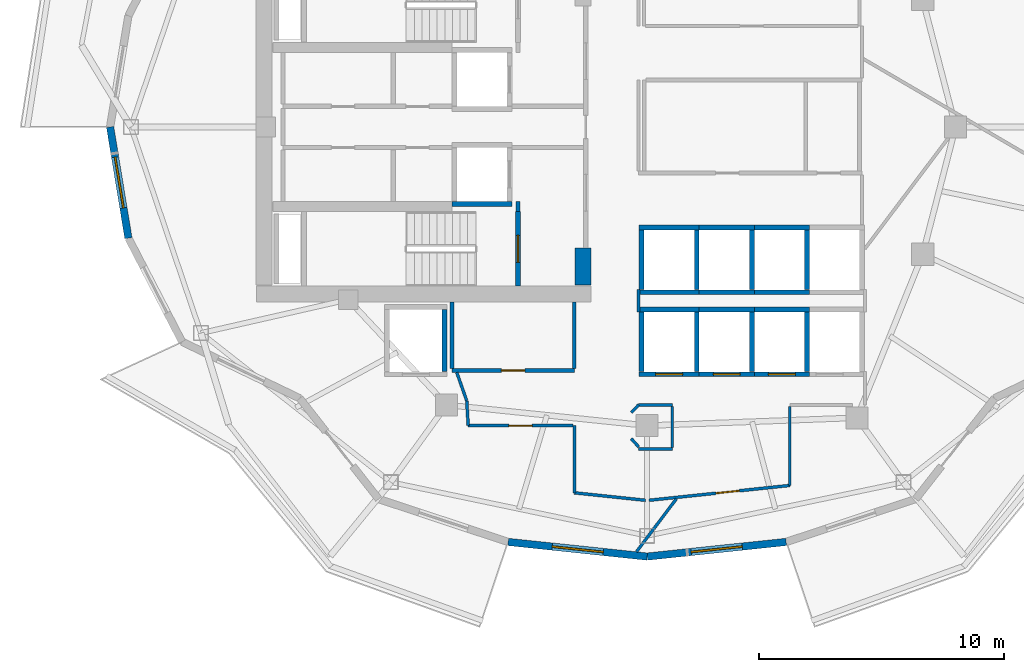
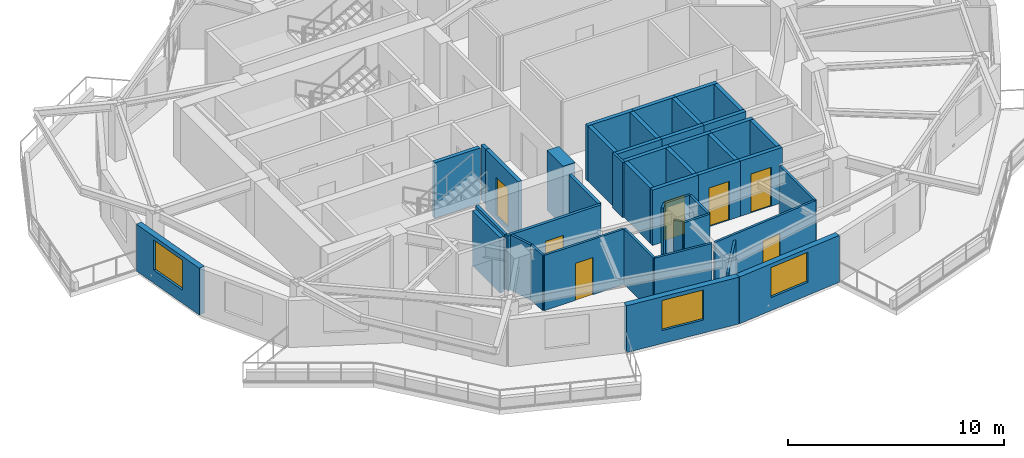
# One storey, part 6 of 13: 45 walls, 7 doors, 3 windows, 10 openings.
"""IFC4 building model written with IfcOpenShell, lengths in metres."""

import ifcopenshell
import ifcopenshell.guid

model = None  # the IFC model being written
_history = None  # IfcOwnerHistory: only IFC2X3 demands one
_inside = {}  # id of a spatial element -> (the spatial element, [elements in it])
_under = {}  # id of a project, library or spatial element -> (it, [spatial elements below it])
_declared = {}  # id of a project -> (the project, [libraries it declares])
_typed = {}  # id of a type object -> (the type object, [elements of that type])
_made_of = {}  # id of a material, layer set ... -> (it, [elements and type objects made of it])


def new_model(schema):
    """Start an empty IFC model of exactly this schema.

    Asked for "IFC4X3", IfcOpenShell would pick the latest addendum, in which some entities
    have other attributes; the version numbers below select the first issue.
    IFC2X3 requires an IfcOwnerHistory on every rooted entity: one is made here for all.
    """
    global model, _history
    if schema == "IFC4X3":
        model = ifcopenshell.file(schema_version=(4, 3, 0, 0))
    else:
        model = ifcopenshell.file(schema=schema)
    _inside.clear()
    _under.clear()
    _declared.clear()
    _typed.clear()
    _made_of.clear()
    _history = None
    if model.schema == "IFC2X3":
        org = make("IfcOrganization", Name="unknown")
        user = make(
            "IfcPersonAndOrganization",
            ThePerson=make("IfcPerson", FamilyName="unknown"),
            TheOrganization=org,
        )
        app = make(
            "IfcApplication",
            ApplicationDeveloper=org,
            Version="unknown",
            ApplicationFullName="unknown",
            ApplicationIdentifier="unknown",
        )
        _history = make(
            "IfcOwnerHistory",
            OwningUser=user,
            OwningApplication=app,
            ChangeAction="ADDED",
            CreationDate=0,
        )
    return model


def make(cls, **values):
    """One entity of the class cls with the attributes given. An attribute that is None is left unset."""
    return model.create_entity(
        cls, **{name: value for name, value in values.items() if value is not None}
    )


def rooted(cls, **values):
    """An entity with a GlobalId (a new one), such as an element, a storey or a relation."""
    return make(cls, GlobalId=ifcopenshell.guid.new(), OwnerHistory=_history, **values)


def si_unit(unit_type, name, prefix=None):
    """IfcSIUnit, for example si_unit("LENGTHUNIT", "METRE", prefix="MILLI")."""
    return make("IfcSIUnit", UnitType=unit_type, Prefix=prefix, Name=name)


def assignment(units):
    """IfcUnitAssignment: the units of a project."""
    return None if units is None else make("IfcUnitAssignment", Units=units)


def point(xyz):
    """IfcCartesianPoint."""
    return None if xyz is None else make("IfcCartesianPoint", Coordinates=xyz)


def direction(xyz):
    """IfcDirection."""
    return None if xyz is None else make("IfcDirection", DirectionRatios=xyz)


def frame(location, z_axis=None, x_axis=None):
    """IfcAxis2Placement3D, a coordinate frame: its origin and axes. An axis left out is left unset."""
    return make(
        "IfcAxis2Placement3D",
        Location=point(location),
        Axis=direction(z_axis),
        RefDirection=direction(x_axis),
    )


def frame_2d(location, x_axis=None):
    """IfcAxis2Placement2D, a coordinate frame in the plane: its origin and x axis."""
    return make(
        "IfcAxis2Placement2D", Location=point(location), RefDirection=direction(x_axis)
    )


def origin():
    """The frame at (0, 0, 0) with its axes left unset."""
    return frame((0.0, 0.0, 0.0))


def place(relative_to, where):
    """IfcLocalPlacement: puts the frame where relative to a parent placement (None: the world)."""
    return make(
        "IfcLocalPlacement", PlacementRelTo=relative_to, RelativePlacement=where
    )


def context(
    kind, dimensions, precision=None, world=None, true_north=None, identifier=None
):
    """IfcGeometricRepresentationContext, for example the 3D "Model" context."""
    return make(
        "IfcGeometricRepresentationContext",
        ContextIdentifier=identifier,
        ContextType=kind,
        CoordinateSpaceDimension=dimensions,
        Precision=precision,
        WorldCoordinateSystem=world,
        TrueNorth=true_north,
    )


def subcontext(parent, identifier, kind, view, scale=None):
    """IfcGeometricRepresentationSubContext, for example "Body" below "Model"."""
    return make(
        "IfcGeometricRepresentationSubContext",
        ContextIdentifier=identifier,
        ContextType=kind,
        ParentContext=parent,
        TargetScale=scale,
        TargetView=view,
    )


def project(units=None, contexts=None):
    """IfcProject with its units and contexts."""
    return rooted(
        "IfcProject",
        Name="project",
        RepresentationContexts=contexts,
        UnitsInContext=assignment(units),
    )


def spatial(cls, under=None, at=None, **own):
    """A site, building, storey or space (cls), placed at a placement, below another one or the project."""
    s = rooted(cls, ObjectPlacement=at, **own)
    if under is not None:
        _under.setdefault(under.id(), (under, []))[1].append(s)
    return s


def profile(cls, at=None, kind="AREA", **sizes):
    """A parametric profile (cls). Its sizes go by their IFC names, for example OverallWidth=200.0."""
    return make(cls, ProfileType=kind, Position=at, **sizes)


def rectangle(**sizes):
    """IfcRectangleProfileDef."""
    return profile("IfcRectangleProfileDef", **sizes)


def extrude(swept, where, along, depth):
    """IfcExtrudedAreaSolid: the profile swept, set in the frame where, extruded along a direction by depth."""
    return make(
        "IfcExtrudedAreaSolid",
        SweptArea=swept,
        Position=where,
        ExtrudedDirection=direction(along),
        Depth=depth,
    )


def shape(context_of_items, identifier, shape_type, items):
    """IfcShapeRepresentation: the items that make up one representation, for example the "Body"."""
    return make(
        "IfcShapeRepresentation",
        ContextOfItems=context_of_items,
        RepresentationIdentifier=identifier,
        RepresentationType=shape_type,
        Items=items,
    )


def material(Name=None, Category=None):
    """IfcMaterial."""
    return make("IfcMaterial", Name=Name, Category=Category)


def layer(
    of_material, thickness, ventilated=None, Name=None, Category=None, Priority=None
):
    """IfcMaterialLayer: one layer of a wall or slab, of a material (None: an air gap)."""
    return make(
        "IfcMaterialLayer",
        Material=of_material,
        LayerThickness=thickness,
        IsVentilated=ventilated,
        Name=Name,
        Category=Category,
        Priority=Priority,
    )


def layer_set(layers, Name=None):
    """IfcMaterialLayerSet."""
    return make("IfcMaterialLayerSet", MaterialLayers=layers, LayerSetName=Name)


def made_of(thing, what):
    """Note that an element or type object is made of a material, layer set ...; save() writes the relation."""
    if what is not None:
        _made_of.setdefault(what.id(), (what, []))[1].append(thing)
    return thing


def type_object(cls, material=None, **own):
    """A type object (cls), such as IfcWallType, which elements share."""
    return made_of(rooted(cls, **own), material)


def element(
    cls,
    number,
    at=None,
    inside=None,
    cuts=None,
    type_object=None,
    material=None,
    context=None,
    identifier="Body",
    shape_type=None,
    held_by="IfcProductDefinitionShape",
    body=None,
    shapes=None,
    **own,
):
    """One element of the class cls, such as IfcWall. Its Tag is "e" and its number.

    at: its placement. inside: the storey or other place that contains it. cuts: it is an
    opening in that element (IfcRelVoidsElement). A single representation is given by context,
    identifier, shape_type and body (its items); several are given by shapes. held_by: the class
    of the entity that holds the representations. save() writes the other relations.
    """
    e = rooted(cls, Tag="e%d" % number, ObjectPlacement=at, **own)
    if body is not None:
        shapes = [shape(context, identifier, shape_type, body)]
    if shapes is not None:
        e.Representation = make(held_by, Representations=shapes)
    if inside is not None:
        _inside.setdefault(inside.id(), (inside, []))[1].append(e)
    if cuts is not None:
        rooted(
            "IfcRelVoidsElement", RelatingBuildingElement=cuts, RelatedOpeningElement=e
        )
    if type_object is not None:
        _typed.setdefault(type_object.id(), (type_object, []))[1].append(e)
    return made_of(e, material)


def fill(opening, filler):
    """IfcRelFillsElement: the door or window that sits in an opening."""
    return rooted(
        "IfcRelFillsElement",
        RelatingOpeningElement=opening,
        RelatedBuildingElement=filler,
    )


def aggregate(whole, parts):
    """IfcRelAggregates: a whole, such as a stair, and the parts it consists of."""
    return rooted("IfcRelAggregates", RelatingObject=whole, RelatedObjects=parts)


def save(model, path):
    """Write the relations noted so far, then the file.

    IfcRelAggregates (storeys below a building ...), IfcRelContainedInSpatialStructure (elements
    in a storey), IfcRelDefinesByType, IfcRelAssociatesMaterial and IfcRelDeclares: one each for
    every whole, place, type object, material and project.
    """
    for whole, parts in _under.values():
        aggregate(whole, parts)
    for where, things in _inside.values():
        rooted(
            "IfcRelContainedInSpatialStructure",
            RelatedElements=things,
            RelatingStructure=where,
        )
    for kind, things in _typed.values():
        rooted("IfcRelDefinesByType", RelatedObjects=things, RelatingType=kind)
    for what, things in _made_of.values():
        rooted("IfcRelAssociatesMaterial", RelatedObjects=things, RelatingMaterial=what)
    for by, libraries in _declared.values():
        rooted("IfcRelDeclares", RelatingContext=by, RelatedDefinitions=libraries)
    model.write(path)


model = new_model("IFC4")

# Units and contexts
model_context = context("Model", 3, precision=1e-05, world=origin(), true_north=direction((0.0, 1.0)))
body_context = subcontext(model_context, "Body", "Model", "MODEL_VIEW")
ifc_project = project(units=[si_unit("LENGTHUNIT", "METRE"), si_unit("AREAUNIT", "SQUARE_METRE"), si_unit("VOLUMEUNIT", "CUBIC_METRE"), si_unit("PLANEANGLEUNIT", "RADIAN"), si_unit("MASSUNIT", "GRAM", prefix="KILO")], contexts=[model_context])

# Site, building, storey
site_placement = place(None, origin())
site = spatial("IfcSite", under=ifc_project, at=site_placement, CompositionType="ELEMENT")
building_placement = place(site_placement, origin())
building = spatial("IfcBuilding", under=site, at=building_placement, Name="Kolvaren Gate Tower and Convention Centre", CompositionType="ELEMENT")
storey_placement = place(building_placement, frame((0.0, 0.0, 142.699951171875)))
storey = spatial("IfcBuildingStorey", under=building, at=storey_placement, Name="L36", CompositionType="ELEMENT", Elevation=142.699951171875)

# Walls
ifc_material_1 = material(Name="Autoclaved Aerated Masonry Blockwork Class 4 (4.0 MPa)", Category="masonry")
ifc_layer_1 = layer(ifc_material_1, 0.179931640625)
ifc_layer_set_1 = layer_set([ifc_layer_1], Name="Autoclaved Aerated Masonry Blockwork Class 4 (4.0 MPa)")
wall_type_1 = type_object("IfcWallType", Name="ARCH-WL-COMP-180", PredefinedType="SOLIDWALL", material=ifc_layer_set_1)
wall_1_placement = place(storey_placement, frame((24.85009765625, 23.5400390625, 0.0), z_axis=(0.0, 0.0, 1.0), x_axis=(0.0, 1.0, 0.0)))
element("IfcWall", 1, at=wall_1_placement, inside=storey, type_object=wall_type_1, Name="Interior Partition WL-L36-INT-001", PredefinedType="SOLIDWALL", context=body_context, shape_type="SweptSolid", body=[
    extrude(rectangle(XDim=0.419921875, YDim=0.179931640625, at=frame_2d((0.2099609375, 0.0))), origin(), (0.0, 0.0, 1.0), 3.130126953125),
])
ifc_material_2 = material(Name="Fire-Rated Acoustic Gypsum Stud Partition", Category="gypsum")
ifc_layer_2 = layer(ifc_material_2, 0.1201171875)
ifc_layer_set_2 = layer_set([ifc_layer_2], Name="Fire-Rated Acoustic Gypsum Stud Partition")
wall_type_2 = type_object("IfcWallType", Name="ARCH-WL-PART-120", PredefinedType="PARTITIONING", material=ifc_layer_set_2)
wall_2_placement = place(storey_placement, frame((27.14990234375, 12.055908203125, 0.0), z_axis=(0.0, 0.0, 1.0), x_axis=(0.0, 1.0, 0.0)))
element("IfcWall", 2, at=wall_2_placement, inside=storey, type_object=wall_type_2, Name="Interior Partition WL-L36-INT-011", PredefinedType="PARTITIONING", context=body_context, shape_type="SweptSolid", body=[
    extrude(rectangle(XDim=2.744140625, YDim=0.1201171875, at=frame_2d((1.3720703125, 0.0))), origin(), (0.0, 0.0, 1.0), 3.130126953125),
])
wall_3_placement = place(storey_placement, frame((29.780029296875, 15.64990234375, 0.0), z_axis=(0.0, 0.0, 1.0), x_axis=(1.0, 0.0, 0.0)))
element("IfcWall", 3, at=wall_3_placement, inside=storey, type_object=wall_type_2, Name="Interior Partition WL-L36-INT-024", PredefinedType="PARTITIONING", context=body_context, shape_type="SweptSolid", body=[
    extrude(rectangle(XDim=1.369873046875, YDim=0.1201171875, at=frame_2d((0.68505859375, 0.0))), origin(), (0.0, 0.0, 1.0), 3.130126953125),
])
wall_4_placement = place(storey_placement, frame((35.949951171875, 12.35595703125, 0.0), z_axis=(0.0, 0.0, 1.0), x_axis=(0.0, 1.0, 0.0)))
element("IfcWall", 4, at=wall_4_placement, inside=storey, type_object=wall_type_2, Name="Interior Partition WL-L36-INT-026", PredefinedType="PARTITIONING", context=body_context, shape_type="SweptSolid", body=[
    extrude(rectangle(XDim=3.23193359375, YDim=0.1201171875, at=frame_2d((1.615966796875, 0.0))), origin(), (0.0, 0.0, 1.0), 3.130126953125),
])

# Wall, opening, door
wall_5_placement = place(storey_placement, frame((30.195068359375, 11.75, 0.0), z_axis=(0.0, 0.0, 1.0), x_axis=(0.994502215954, 0.104715531139, 0.0)))
wall_5 = element("IfcWall", 5, at=wall_5_placement, inside=storey, type_object=wall_type_2, Name="Interior Partition WL-L36-INT-027", PredefinedType="PARTITIONING", context=body_context, shape_type="SweptSolid", body=[
    extrude(rectangle(XDim=5.78662109375, YDim=0.1201171875, at=frame_2d((2.893310546875, 0.0))), origin(), (0.0, 0.0, 1.0), 3.130126953125),
])
opening_1_placement = place(wall_5_placement, frame((2.758056640625, 0.0, 0.0)))
opening_1 = element("IfcOpeningElement", 6, at=opening_1_placement, cuts=wall_5, Name="Opening DR-01", PredefinedType="OPENING", context=body_context, shape_type="SweptSolid", body=[
    extrude(rectangle(XDim=0.949951171875, YDim=2.10009765625, at=frame_2d((0.47509765625, 1.050048828125))), frame((0.0, 0.070068359375, 0.0), z_axis=(0.0, -1.0, 0.0), x_axis=(1.0, 0.0, 0.0)), (0.0, 0.0, 1.0), 0.14013671875),
])
ifc_material_3 = material(Name="Painted Architectural Steelwork ASTM A500 Grade C 345 MPa", Category="steel")
door_type_1 = type_object("IfcDoorType", Name="ARCH-DR-RISER-950", OperationType="SINGLE_SWING_RIGHT", PredefinedType="DOOR", material=ifc_material_3)
door_1_placement = place(opening_1_placement, origin())
door_1 = element("IfcDoor", 7, at=door_1_placement, inside=storey, type_object=door_type_1, Name="Atrium Concierge Reception Door", OperationType="SINGLE_SWING_RIGHT", OverallHeight=2.10009765625, OverallWidth=0.949951171875, PredefinedType="DOOR", context=body_context, shape_type="SweptSolid", body=[
    extrude(rectangle(XDim=0.949951171875, YDim=2.10009765625, at=frame_2d((0.47509765625, 1.050048828125))), frame((0.0, 0.02490234375, 0.0), z_axis=(0.0, -1.0, 0.0), x_axis=(1.0, 0.0, 0.0)), (0.0, 0.0, 1.0), 0.050048828125),
])
fill(opening_1, door_1)

# Wall
wall_6_placement = place(storey_placement, frame((27.14990234375, 12.055908203125, 0.0), z_axis=(0.0, 0.0, 1.0), x_axis=(0.994501330468, -0.104723940422, 0.0)))
element("IfcWall", 8, at=wall_6_placement, inside=storey, type_object=wall_type_2, Name="Interior Partition WL-L36-INT-028", PredefinedType="PARTITIONING", context=body_context, shape_type="SweptSolid", body=[
    extrude(rectangle(XDim=2.921142578125, YDim=0.1201171875, at=frame_2d((1.46044921875, 0.0))), origin(), (0.0, 0.0, 1.0), 3.130126953125),
])

# Wall, opening, door
wall_7_placement = place(storey_placement, frame((22.81396484375, 14.800048828125, 0.0), z_axis=(0.0, 0.0, 1.0), x_axis=(1.0, 0.0, 0.0)))
wall_7 = element("IfcWall", 9, at=wall_7_placement, inside=storey, type_object=wall_type_2, Name="Interior Partition WL-L36-INT-029", PredefinedType="PARTITIONING", context=body_context, shape_type="SweptSolid", body=[
    extrude(rectangle(XDim=4.27392578125, YDim=0.1201171875, at=frame_2d((2.136962890625, 0.0))), origin(), (0.0, 0.0, 1.0), 3.130126953125),
])
opening_2_placement = place(wall_7_placement, frame((1.662109375, 0.0, 0.0)))
opening_2 = element("IfcOpeningElement", 10, at=opening_2_placement, cuts=wall_7, Name="Opening DR-01", PredefinedType="OPENING", context=body_context, shape_type="SweptSolid", body=[
    extrude(rectangle(XDim=0.949951171875, YDim=2.10009765625, at=frame_2d((0.47509765625, 1.050048828125))), frame((0.0, 0.070068359375, 0.0), z_axis=(0.0, -1.0, 0.0), x_axis=(1.0, 0.0, 0.0)), (0.0, 0.0, 1.0), 0.14013671875),
])
door_2_placement = place(opening_2_placement, origin())
door_2 = element("IfcDoor", 11, at=door_2_placement, inside=storey, type_object=door_type_1, Name="Hotel Sky Banquet Salon Door", OperationType="SINGLE_SWING_LEFT", OverallHeight=2.10009765625, OverallWidth=0.949951171875, PredefinedType="DOOR", context=body_context, shape_type="SweptSolid", body=[
    extrude(rectangle(XDim=0.949951171875, YDim=2.10009765625, at=frame_2d((0.47509765625, 1.050048828125))), frame((0.0, 0.02490234375, 0.0), z_axis=(0.0, -1.0, 0.0), x_axis=(1.0, 0.0, 0.0)), (0.0, 0.0, 1.0), 0.050048828125),
])
fill(opening_2, door_2)

# Walls
wall_8_placement = place(storey_placement, frame((22.756103515625, 15.81103515625, 0.0), z_axis=(0.0, 0.0, 1.0), x_axis=(0.057139047697, -0.998366230012, 0.0)))
element("IfcWall", 12, at=wall_8_placement, inside=storey, type_object=wall_type_2, Name="Interior Partition WL-L36-INT-030", PredefinedType="PARTITIONING", context=body_context, shape_type="SweptSolid", body=[
    extrude(rectangle(XDim=1.0126953125, YDim=0.1201171875, at=frame_2d((0.50634765625, 0.0))), origin(), (0.0, 0.0, 1.0), 3.130126953125),
])
wall_9_placement = place(storey_placement, frame((22.347900390625, 16.972900390625, 0.0), z_axis=(0.0, 0.0, 1.0), x_axis=(0.331471687044, -0.943465166653, 0.0)))
element("IfcWall", 13, at=wall_9_placement, inside=storey, type_object=wall_type_2, Name="Interior Partition WL-L36-INT-031", PredefinedType="PARTITIONING", context=body_context, shape_type="SweptSolid", body=[
    extrude(rectangle(XDim=1.2314453125, YDim=0.1201171875, at=frame_2d((0.61572265625, 0.0))), origin(), (0.0, 0.0, 1.0), 3.130126953125),
])
wall_10_placement = place(storey_placement, frame((29.780029296875, 19.43994140625, 0.0), z_axis=(0.0, 0.0, 1.0), x_axis=(0.0, 1.0, 0.0)))
element("IfcWall", 14, at=wall_10_placement, inside=storey, type_object=wall_type_2, Name="Interior Partition WL-L36-INT-034", PredefinedType="PARTITIONING", context=body_context, shape_type="SweptSolid", body=[
    extrude(rectangle(XDim=0.920166015625, YDim=0.1201171875, at=frame_2d((0.4599609375, 0.0))), origin(), (0.0, 0.0, 1.0), 3.130126953125),
])
wall_11_placement = place(storey_placement, frame((29.47607421875, 15.3330078125, 0.0), z_axis=(0.0, 0.0, 1.0), x_axis=(0.692219273951, 0.721687243043, 0.0)))
element("IfcWall", 15, at=wall_11_placement, inside=storey, type_object=wall_type_2, Name="Interior Partition WL-L36-INT-045", PredefinedType="PARTITIONING", context=body_context, shape_type="SweptSolid", body=[
    extrude(rectangle(XDim=0.439208984375, YDim=0.1201171875, at=frame_2d((0.2197265625, 0.0))), origin(), (0.0, 0.0, 1.0), 3.130126953125),
])
wall_12_placement = place(storey_placement, frame((29.47607421875, 14.26708984375, 0.0), z_axis=(0.0, 0.0, 1.0), x_axis=(0.670659392016, -0.741765448037, 0.0)))
element("IfcWall", 16, at=wall_12_placement, inside=storey, type_object=wall_type_2, Name="Interior Partition WL-L36-INT-046", PredefinedType="PARTITIONING", context=body_context, shape_type="SweptSolid", body=[
    extrude(rectangle(XDim=0.453125, YDim=0.1201171875, at=frame_2d((0.2265625, 0.0))), origin(), (0.0, 0.0, 1.0), 3.130126953125),
])
wall_13_placement = place(storey_placement, frame((29.780029296875, 13.85009765625, 0.0), z_axis=(0.0, 0.0, 1.0), x_axis=(1.0, 0.0, 0.0)))
element("IfcWall", 17, at=wall_13_placement, inside=storey, type_object=wall_type_2, Name="Interior Partition WL-L36-INT-047", PredefinedType="PARTITIONING", context=body_context, shape_type="SweptSolid", body=[
    extrude(rectangle(XDim=1.369873046875, YDim=0.1201171875, at=frame_2d((0.68505859375, 0.0))), origin(), (0.0, 0.0, 1.0), 3.130126953125),
])
wall_14_placement = place(storey_placement, frame((31.14990234375, 13.912109375, 0.0), z_axis=(0.0, 0.0, 1.0), x_axis=(0.0, 1.0, 0.0)))
element("IfcWall", 18, at=wall_14_placement, inside=storey, type_object=wall_type_2, Name="Interior Partition WL-L36-INT-048", PredefinedType="PARTITIONING", context=body_context, shape_type="SweptSolid", body=[
    extrude(rectangle(XDim=1.67578125, YDim=0.1201171875, at=frame_2d((0.837890625, 0.0))), origin(), (0.0, 0.0, 1.0), 3.130126953125),
])
wall_15_placement = place(storey_placement, frame((29.689208984375, 9.648681640625, 0.0), z_axis=(0.0, 0.0, 1.0), x_axis=(0.601950485264, 0.79853341401, 0.0)))
element("IfcWall", 19, at=wall_15_placement, inside=storey, type_object=wall_type_2, Name="Interior Partition WL-L36-INT-051", PredefinedType="PARTITIONING", context=body_context, shape_type="SweptSolid", body=[
    extrude(rectangle(XDim=2.701171875, YDim=0.1201171875, at=frame_2d((1.3505859375, 0.0))), origin(), (0.0, 0.0, 1.0), 2.81201171875),
])
ifc_layer_3 = layer(ifc_material_1, 0.199951171875)
ifc_layer_set_3 = layer_set([ifc_layer_3], Name="Autoclaved Aerated Masonry Blockwork Class 4 (4.0 MPa)")
wall_type_3 = type_object("IfcWallType", Name="ARCH-WL-SHAFT-200", PredefinedType="SOLIDWALL", material=ifc_layer_set_3)
wall_16_placement = place(storey_placement, frame((22.14990234375, 23.860107421875, 0.0), z_axis=(0.0, 0.0, 1.0), x_axis=(1.0, 0.0, 0.0)))
element("IfcWall", 20, at=wall_16_placement, inside=storey, type_object=wall_type_3, Name="Elevator FF-02 L36 Fire Shaft Wall S", PredefinedType="SOLIDWALL", context=body_context, shape_type="SweptSolid", body=[
    extrude(rectangle(XDim=2.4501953125, YDim=0.199951171875, at=frame_2d((1.22509765625, 0.0))), origin(), (0.0, 0.0, 1.0), 3.130126953125),
])
wall_17_placement = place(storey_placement, frame((21.85009765625, 17.010009765625, 0.0), z_axis=(0.0, 0.0, 1.0), x_axis=(0.0, 1.0, 0.0)))
element("IfcWall", 21, at=wall_17_placement, inside=storey, type_object=wall_type_3, Name="Elevator SV-01 L36 Fire Shaft Wall E", PredefinedType="SOLIDWALL", context=body_context, shape_type="SweptSolid", body=[
    extrude(rectangle(XDim=2.530029296875, YDim=0.199951171875, at=frame_2d((1.26513671875, 0.0))), origin(), (0.0, 0.0, 1.0), 3.130126953125),
])
wall_18_placement = place(storey_placement, frame((29.800048828125, 19.550048828125, 0.0), z_axis=(0.0, 0.0, 1.0), x_axis=(1.0, 0.0, 0.0)))
element("IfcWall", 22, at=wall_18_placement, inside=storey, type_object=wall_type_3, Name="Elevator PL-05 L36 Fire Shaft Wall N", PredefinedType="SOLIDWALL", context=body_context, shape_type="SweptSolid", body=[
    extrude(rectangle(XDim=2.449951171875, YDim=0.199951171875, at=frame_2d((1.22509765625, 0.0))), origin(), (0.0, 0.0, 1.0), 3.130126953125),
])

# Wall, opening, door
wall_19_placement = place(storey_placement, frame((29.800048828125, 16.89990234375, 0.0), z_axis=(0.0, 0.0, 1.0), x_axis=(1.0, 0.0, 0.0)))
wall_19 = element("IfcWall", 23, at=wall_19_placement, inside=storey, type_object=wall_type_3, Name="Elevator PL-05 L36 Fire Shaft Wall S", PredefinedType="SOLIDWALL", context=body_context, shape_type="SweptSolid", body=[
    extrude(rectangle(XDim=2.449951171875, YDim=0.199951171875, at=frame_2d((1.22509765625, 0.0))), origin(), (0.0, 0.0, 1.0), 3.130126953125),
])
opening_3_placement = place(wall_19_placement, frame((0.675048828125, 0.0, 0.0)))
opening_3 = element("IfcOpeningElement", 24, at=opening_3_placement, cuts=wall_19, Name="Opening LD", PredefinedType="OPENING", context=body_context, shape_type="SweptSolid", body=[
    extrude(rectangle(XDim=1.10009765625, YDim=2.199951171875, at=frame_2d((0.550048828125, 1.10009765625))), frame((0.0, 0.10986328125, 0.0), z_axis=(0.0, -1.0, 0.0), x_axis=(1.0, 0.0, 0.0)), (0.0, 0.0, 1.0), 0.219970703125),
])
ifc_material_4 = material(Name="Brushed Stainless Steel Grade 316L", Category="steel")
door_type_2 = type_object("IfcDoorType", Name="ARCH-DR-LIFT-1100", OperationType="SLIDING_TO_LEFT", PredefinedType="DOOR", material=ifc_material_4)
door_3_placement = place(opening_3_placement, origin())
door_3 = element("IfcDoor", 25, at=door_3_placement, inside=storey, type_object=door_type_2, Name="Elevator PL-05 L36 Sliding Landing Door", OperationType="SLIDING_TO_LEFT", OverallHeight=2.199951171875, OverallWidth=1.10009765625, PredefinedType="DOOR", context=body_context, shape_type="SweptSolid", body=[
    extrude(rectangle(XDim=1.10009765625, YDim=2.199951171875, at=frame_2d((0.550048828125, 1.10009765625))), frame((0.0, 0.02490234375, 0.0), z_axis=(0.0, -1.0, 0.0), x_axis=(1.0, 0.0, 0.0)), (0.0, 0.0, 1.0), 0.050048828125),
])
fill(opening_3, door_3)

# Walls
for number, where, z_axis, x_axis, name in (
    (26, (29.89990234375, 17.010009765625, 0.0), (0.0, 0.0, 1.0), (0.0, 1.0, 0.0), "Elevator PL-05 L36 Fire Shaft Wall W"),
    (27, (32.14990234375, 17.010009765625, 0.0), (0.0, 0.0, 1.0), (0.0, 1.0, 0.0), "Elevator PL-05 L36 Fire Shaft Wall E"),
):
    element("IfcWall", number, at=place(storey_placement, frame(where, z_axis=z_axis, x_axis=x_axis)), inside=storey, type_object=wall_type_3, Name=name, PredefinedType="SOLIDWALL", context=body_context, shape_type="SweptSolid", body=[
        extrude(rectangle(XDim=2.429931640625, YDim=0.199951171875, at=frame_2d((1.21484375, 0.0))), origin(), (0.0, 0.0, 1.0), 3.130126953125),
    ])
wall_20_placement = place(storey_placement, frame((32.25, 19.550048828125, 0.0), z_axis=(0.0, 0.0, 1.0), x_axis=(1.0, 0.0, 0.0)))
element("IfcWall", 28, at=wall_20_placement, inside=storey, type_object=wall_type_3, Name="Elevator PL-06 L36 Fire Shaft Wall N", PredefinedType="SOLIDWALL", context=body_context, shape_type="SweptSolid", body=[
    extrude(rectangle(XDim=2.25, YDim=0.199951171875, at=frame_2d((1.125, 0.0))), origin(), (0.0, 0.0, 1.0), 3.130126953125),
])

# Wall, opening, door
wall_21_placement = place(storey_placement, frame((32.25, 16.89990234375, 0.0), z_axis=(0.0, 0.0, 1.0), x_axis=(1.0, 0.0, 0.0)))
wall_21 = element("IfcWall", 29, at=wall_21_placement, inside=storey, type_object=wall_type_3, Name="Elevator PL-06 L36 Fire Shaft Wall S", PredefinedType="SOLIDWALL", context=body_context, shape_type="SweptSolid", body=[
    extrude(rectangle(XDim=2.25, YDim=0.199951171875, at=frame_2d((1.125, 0.0))), origin(), (0.0, 0.0, 1.0), 3.130126953125),
])
opening_4_placement = place(wall_21_placement, frame((0.574951171875, 0.0, 0.0)))
opening_4 = element("IfcOpeningElement", 30, at=opening_4_placement, cuts=wall_21, Name="Opening LD", PredefinedType="OPENING", context=body_context, shape_type="SweptSolid", body=[
    extrude(rectangle(XDim=1.10009765625, YDim=2.199951171875, at=frame_2d((0.550048828125, 1.10009765625))), frame((0.0, 0.10986328125, 0.0), z_axis=(0.0, -1.0, 0.0), x_axis=(1.0, 0.0, 0.0)), (0.0, 0.0, 1.0), 0.219970703125),
])
door_4_placement = place(opening_4_placement, origin())
door_4 = element("IfcDoor", 31, at=door_4_placement, inside=storey, type_object=door_type_2, Name="Elevator PL-06 L36 Sliding Landing Door", OperationType="SLIDING_TO_LEFT", OverallHeight=2.199951171875, OverallWidth=1.10009765625, PredefinedType="DOOR", context=body_context, shape_type="SweptSolid", body=[
    extrude(rectangle(XDim=1.10009765625, YDim=2.199951171875, at=frame_2d((0.550048828125, 1.10009765625))), frame((0.0, 0.02490234375, 0.0), z_axis=(0.0, -1.0, 0.0), x_axis=(1.0, 0.0, 0.0)), (0.0, 0.0, 1.0), 0.050048828125),
])
fill(opening_4, door_4)

# Walls
wall_22_placement = place(storey_placement, frame((34.39990234375, 17.010009765625, 0.0), z_axis=(0.0, 0.0, 1.0), x_axis=(0.0, 1.0, 0.0)))
element("IfcWall", 32, at=wall_22_placement, inside=storey, type_object=wall_type_3, Name="Elevator PL-06 L36 Fire Shaft Wall E", PredefinedType="SOLIDWALL", context=body_context, shape_type="SweptSolid", body=[
    extrude(rectangle(XDim=2.429931640625, YDim=0.199951171875, at=frame_2d((1.21484375, 0.0))), origin(), (0.0, 0.0, 1.0), 3.130126953125),
])
wall_23_placement = place(storey_placement, frame((34.5, 19.550048828125, 0.0), z_axis=(0.0, 0.0, 1.0), x_axis=(1.0, 0.0, 0.0)))
element("IfcWall", 33, at=wall_23_placement, inside=storey, type_object=wall_type_3, Name="Elevator PL-07 L36 Fire Shaft Wall N", PredefinedType="SOLIDWALL", context=body_context, shape_type="SweptSolid", body=[
    extrude(rectangle(XDim=2.25, YDim=0.199951171875, at=frame_2d((1.125, 0.0))), origin(), (0.0, 0.0, 1.0), 3.130126953125),
])

# Wall, opening, door
wall_24_placement = place(storey_placement, frame((34.5, 16.89990234375, 0.0), z_axis=(0.0, 0.0, 1.0), x_axis=(1.0, 0.0, 0.0)))
wall_24 = element("IfcWall", 34, at=wall_24_placement, inside=storey, type_object=wall_type_3, Name="Elevator PL-07 L36 Fire Shaft Wall S", PredefinedType="SOLIDWALL", context=body_context, shape_type="SweptSolid", body=[
    extrude(rectangle(XDim=2.25, YDim=0.199951171875, at=frame_2d((1.125, 0.0))), origin(), (0.0, 0.0, 1.0), 3.130126953125),
])
opening_5_placement = place(wall_24_placement, frame((0.574951171875, 0.0, 0.0)))
opening_5 = element("IfcOpeningElement", 35, at=opening_5_placement, cuts=wall_24, Name="Opening LD", PredefinedType="OPENING", context=body_context, shape_type="SweptSolid", body=[
    extrude(rectangle(XDim=1.10009765625, YDim=2.199951171875, at=frame_2d((0.550048828125, 1.10009765625))), frame((0.0, 0.10986328125, 0.0), z_axis=(0.0, -1.0, 0.0), x_axis=(1.0, 0.0, 0.0)), (0.0, 0.0, 1.0), 0.219970703125),
])
door_5_placement = place(opening_5_placement, origin())
door_5 = element("IfcDoor", 36, at=door_5_placement, inside=storey, type_object=door_type_2, Name="Elevator PL-07 L36 Sliding Landing Door", OperationType="SLIDING_TO_LEFT", OverallHeight=2.199951171875, OverallWidth=1.10009765625, PredefinedType="DOOR", context=body_context, shape_type="SweptSolid", body=[
    extrude(rectangle(XDim=1.10009765625, YDim=2.199951171875, at=frame_2d((0.550048828125, 1.10009765625))), frame((0.0, 0.02490234375, 0.0), z_axis=(0.0, -1.0, 0.0), x_axis=(1.0, 0.0, 0.0)), (0.0, 0.0, 1.0), 0.050048828125),
])
fill(opening_5, door_5)

# Walls
wall_25_placement = place(storey_placement, frame((36.64990234375, 17.010009765625, 0.0), z_axis=(0.0, 0.0, 1.0), x_axis=(0.0, 1.0, 0.0)))
element("IfcWall", 37, at=wall_25_placement, inside=storey, type_object=wall_type_3, Name="Elevator PL-07 L36 Fire Shaft Wall E", PredefinedType="SOLIDWALL", context=body_context, shape_type="SweptSolid", body=[
    extrude(rectangle(XDim=2.429931640625, YDim=0.199951171875, at=frame_2d((1.21484375, 0.0))), origin(), (0.0, 0.0, 1.0), 3.130126953125),
])
for number, where, z_axis, x_axis, name in (
    (38, (29.800048828125, 22.89990234375, 0.0), (0.0, 0.0, 1.0), (1.0, 0.0, 0.0), "Elevator PL-09 L36 Fire Shaft Wall N"),
    (39, (29.800048828125, 20.25, 0.0), (0.0, 0.0, 1.0), (1.0, 0.0, 0.0), "Elevator PL-09 L36 Fire Shaft Wall S"),
):
    element("IfcWall", number, at=place(storey_placement, frame(where, z_axis=z_axis, x_axis=x_axis)), inside=storey, type_object=wall_type_3, Name=name, PredefinedType="SOLIDWALL", context=body_context, shape_type="SweptSolid", body=[
        extrude(rectangle(XDim=2.449951171875, YDim=0.199951171875, at=frame_2d((1.22509765625, 0.0))), origin(), (0.0, 0.0, 1.0), 3.130126953125),
    ])
for number, where, z_axis, x_axis, name in (
    (40, (29.89990234375, 20.360107421875, 0.0), (0.0, 0.0, 1.0), (0.0, 1.0, 0.0), "Elevator PL-09 L36 Fire Shaft Wall W"),
    (41, (32.14990234375, 20.360107421875, 0.0), (0.0, 0.0, 1.0), (0.0, 1.0, 0.0), "Elevator PL-09 L36 Fire Shaft Wall E"),
):
    element("IfcWall", number, at=place(storey_placement, frame(where, z_axis=z_axis, x_axis=x_axis)), inside=storey, type_object=wall_type_3, Name=name, PredefinedType="SOLIDWALL", context=body_context, shape_type="SweptSolid", body=[
        extrude(rectangle(XDim=2.429931640625, YDim=0.199951171875, at=frame_2d((1.21484375, 0.0))), origin(), (0.0, 0.0, 1.0), 3.130126953125),
    ])
for number, where, z_axis, x_axis, name in (
    (42, (32.25, 22.89990234375, 0.0), (0.0, 0.0, 1.0), (1.0, 0.0, 0.0), "Elevator PL-10 L36 Fire Shaft Wall N"),
    (43, (32.25, 20.25, 0.0), (0.0, 0.0, 1.0), (1.0, 0.0, 0.0), "Elevator PL-10 L36 Fire Shaft Wall S"),
):
    element("IfcWall", number, at=place(storey_placement, frame(where, z_axis=z_axis, x_axis=x_axis)), inside=storey, type_object=wall_type_3, Name=name, PredefinedType="SOLIDWALL", context=body_context, shape_type="SweptSolid", body=[
        extrude(rectangle(XDim=2.25, YDim=0.199951171875, at=frame_2d((1.125, 0.0))), origin(), (0.0, 0.0, 1.0), 3.130126953125),
    ])
wall_26_placement = place(storey_placement, frame((34.39990234375, 20.360107421875, 0.0), z_axis=(0.0, 0.0, 1.0), x_axis=(0.0, 1.0, 0.0)))
element("IfcWall", 44, at=wall_26_placement, inside=storey, type_object=wall_type_3, Name="Elevator PL-10 L36 Fire Shaft Wall E", PredefinedType="SOLIDWALL", context=body_context, shape_type="SweptSolid", body=[
    extrude(rectangle(XDim=2.429931640625, YDim=0.199951171875, at=frame_2d((1.21484375, 0.0))), origin(), (0.0, 0.0, 1.0), 3.130126953125),
])
for number, where, z_axis, x_axis, name in (
    (45, (34.5, 22.89990234375, 0.0), (0.0, 0.0, 1.0), (1.0, 0.0, 0.0), "Elevator PL-11 L36 Fire Shaft Wall N"),
    (46, (34.5, 20.25, 0.0), (0.0, 0.0, 1.0), (1.0, 0.0, 0.0), "Elevator PL-11 L36 Fire Shaft Wall S"),
):
    element("IfcWall", number, at=place(storey_placement, frame(where, z_axis=z_axis, x_axis=x_axis)), inside=storey, type_object=wall_type_3, Name=name, PredefinedType="SOLIDWALL", context=body_context, shape_type="SweptSolid", body=[
        extrude(rectangle(XDim=2.25, YDim=0.199951171875, at=frame_2d((1.125, 0.0))), origin(), (0.0, 0.0, 1.0), 3.130126953125),
    ])
wall_27_placement = place(storey_placement, frame((36.64990234375, 20.360107421875, 0.0), z_axis=(0.0, 0.0, 1.0), x_axis=(0.0, 1.0, 0.0)))
element("IfcWall", 47, at=wall_27_placement, inside=storey, type_object=wall_type_3, Name="Elevator PL-11 L36 Fire Shaft Wall E", PredefinedType="SOLIDWALL", context=body_context, shape_type="SweptSolid", body=[
    extrude(rectangle(XDim=2.429931640625, YDim=0.199951171875, at=frame_2d((1.21484375, 0.0))), origin(), (0.0, 0.0, 1.0), 3.130126953125),
])

# Wall, opening, window
ifc_material_5 = material(Name="Piedmont Cream Honed Limestone Cladding", Category="masonry")
ifc_layer_4 = layer(ifc_material_5, 0.300048828125)
ifc_layer_set_4 = layer_set([ifc_layer_4], Name="Piedmont Cream Honed Limestone Cladding")
wall_type_4 = type_object("IfcWallType", Name="ARCH-WL-STONE-300", PredefinedType="SOLIDWALL", material=ifc_layer_set_4)
wall_28_placement = place(storey_placement, frame((8.1875, 27.0, 0.0), z_axis=(0.0, 0.0, 1.0), x_axis=(0.162394765401, -0.986725868806, 0.0)))
wall_28 = element("IfcWall", 48, at=wall_28_placement, inside=storey, type_object=wall_type_4, Name="Tower L36 Honed Stone Spandrel Wall EW-12", PredefinedType="SOLIDWALL", context=body_context, shape_type="SweptSolid", body=[
    extrude(rectangle(XDim=4.603271484375, YDim=0.300048828125, at=frame_2d((2.3017578125, 0.0))), origin(), (0.0, 0.0, 1.0), 2.653076171875),
])
opening_6_placement = place(wall_28_placement, frame((1.251953125, 0.0, 0.739990234375)))
opening_6 = element("IfcOpeningElement", 49, at=opening_6_placement, cuts=wall_28, Name="Opening W-02", PredefinedType="OPENING", context=body_context, shape_type="SweptSolid", body=[
    extrude(rectangle(XDim=2.10009765625, YDim=1.699951171875, at=frame_2d((1.050048828125, 0.85009765625))), frame((0.0, 0.159912109375, 0.0), z_axis=(0.0, -1.0, 0.0), x_axis=(1.0, 0.0, 0.0)), (0.0, 0.0, 1.0), 0.320068359375),
])
ifc_material_6 = material(Name="Low-E Triple Insulated Glazing Unit 44 mm", Category="glass")
window_type = type_object("IfcWindowType", Name="ARCH-WN-HTL-2100", PartitioningType="SINGLE_PANEL", PredefinedType="WINDOW", material=ifc_material_6)
window_1_placement = place(opening_6_placement, origin())
window_1 = element("IfcWindow", 50, at=window_1_placement, inside=storey, type_object=window_type, Name="Tower L36 Punched Stone Facade Window W-12", OverallHeight=1.699951171875, OverallWidth=2.10009765625, PartitioningType="SINGLE_PANEL", PredefinedType="WINDOW", context=body_context, shape_type="SweptSolid", body=[
    extrude(rectangle(XDim=2.10009765625, YDim=1.699951171875, at=frame_2d((1.050048828125, 0.85009765625))), frame((0.0, 0.030029296875, 0.0), z_axis=(0.0, -1.0, 0.0), x_axis=(1.0, 0.0, 0.0)), (0.0, 0.0, 1.0), 0.06005859375),
])
fill(opening_6, window_1)

wall_29_placement = place(storey_placement, frame((24.447265625, 10.048095703125, 0.0), z_axis=(0.0, 0.0, 1.0), x_axis=(0.994496545245, -0.104769372887, 0.0)))
wall_29 = element("IfcWall", 51, at=wall_29_placement, inside=storey, type_object=wall_type_4, Name="Tower L36 Honed Stone Spandrel Wall EW-17", PredefinedType="SOLIDWALL", context=body_context, shape_type="SweptSolid", body=[
    extrude(rectangle(XDim=5.709228515625, YDim=0.300048828125, at=frame_2d((2.8544921875, 0.0))), origin(), (0.0, 0.0, 1.0), 2.653076171875),
])
opening_7_placement = place(wall_29_placement, frame((1.804931640625, 0.0, 0.739990234375)))
opening_7 = element("IfcOpeningElement", 52, at=opening_7_placement, cuts=wall_29, Name="Opening W-02", PredefinedType="OPENING", context=body_context, shape_type="SweptSolid", body=[
    extrude(rectangle(XDim=2.10009765625, YDim=1.699951171875, at=frame_2d((1.050048828125, 0.85009765625))), frame((0.0, 0.159912109375, 0.0), z_axis=(0.0, -1.0, 0.0), x_axis=(1.0, 0.0, 0.0)), (0.0, 0.0, 1.0), 0.320068359375),
])
window_2_placement = place(opening_7_placement, origin())
window_2 = element("IfcWindow", 53, at=window_2_placement, inside=storey, type_object=window_type, Name="Tower L36 Punched Stone Facade Window W-17", OverallHeight=1.699951171875, OverallWidth=2.10009765625, PartitioningType="SINGLE_PANEL", PredefinedType="WINDOW", context=body_context, shape_type="SweptSolid", body=[
    extrude(rectangle(XDim=2.10009765625, YDim=1.699951171875, at=frame_2d((1.050048828125, 0.85009765625))), frame((0.0, 0.030029296875, 0.0), z_axis=(0.0, -1.0, 0.0), x_axis=(1.0, 0.0, 0.0)), (0.0, 0.0, 1.0), 0.06005859375),
])
fill(opening_7, window_2)

wall_30_placement = place(storey_placement, frame((30.125, 9.449951171875, 0.0), z_axis=(0.0, 0.0, 1.0), x_axis=(0.994496545245, 0.104769372887, 0.0)))
wall_30 = element("IfcWall", 54, at=wall_30_placement, inside=storey, type_object=wall_type_4, Name="Tower L36 Honed Stone Spandrel Wall EW-18", PredefinedType="SOLIDWALL", context=body_context, shape_type="SweptSolid", body=[
    extrude(rectangle(XDim=5.709228515625, YDim=0.300048828125, at=frame_2d((2.8544921875, 0.0))), origin(), (0.0, 0.0, 1.0), 2.653076171875),
])
opening_8_placement = place(wall_30_placement, frame((1.804931640625, 0.0, 0.739990234375)))
opening_8 = element("IfcOpeningElement", 55, at=opening_8_placement, cuts=wall_30, Name="Opening W-02", PredefinedType="OPENING", context=body_context, shape_type="SweptSolid", body=[
    extrude(rectangle(XDim=2.10009765625, YDim=1.699951171875, at=frame_2d((1.050048828125, 0.85009765625))), frame((0.0, 0.159912109375, 0.0), z_axis=(0.0, -1.0, 0.0), x_axis=(1.0, 0.0, 0.0)), (0.0, 0.0, 1.0), 0.320068359375),
])
window_3_placement = place(opening_8_placement, origin())
window_3 = element("IfcWindow", 56, at=window_3_placement, inside=storey, type_object=window_type, Name="Tower L36 Punched Stone Facade Window W-18", OverallHeight=1.699951171875, OverallWidth=2.10009765625, PartitioningType="SINGLE_PANEL", PredefinedType="WINDOW", context=body_context, shape_type="SweptSolid", body=[
    extrude(rectangle(XDim=2.10009765625, YDim=1.699951171875, at=frame_2d((1.050048828125, 0.85009765625))), frame((0.0, 0.030029296875, 0.0), z_axis=(0.0, -1.0, 0.0), x_axis=(1.0, 0.0, 0.0)), (0.0, 0.0, 1.0), 0.06005859375),
])
fill(opening_8, window_3)

# Wall, opening, door
ifc_material_7 = material(Name="Moisture-Resistant Cement-Board Acoustic Partition", Category="gypsum")
ifc_layer_5 = layer(ifc_material_7, 0.14990234375)
ifc_layer_set_5 = layer_set([ifc_layer_5], Name="Moisture-Resistant Cement-Board Acoustic Partition")
wall_type_5 = type_object("IfcWallType", Name="ARCH-WL-WET-150", PredefinedType="PARTITIONING", material=ifc_layer_set_5)
wall_31_placement = place(storey_placement, frame((22.14990234375, 17.050048828125, 0.0), z_axis=(0.0, 0.0, 1.0), x_axis=(1.0, 0.0, 0.0)))
wall_31 = element("IfcWall", 57, at=wall_31_placement, inside=storey, type_object=wall_type_5, Name="Interior Partition WL-L36-INT-009", PredefinedType="PARTITIONING", context=body_context, shape_type="SweptSolid", body=[
    extrude(rectangle(XDim=5.0, YDim=0.14990234375, at=frame_2d((2.5, 0.0))), origin(), (0.0, 0.0, 1.0), 3.130126953125),
])
opening_9_placement = place(wall_31_placement, frame((2.02490234375, 0.0, 0.0)))
opening_9 = element("IfcOpeningElement", 58, at=opening_9_placement, cuts=wall_31, Name="Opening DR-01", PredefinedType="OPENING", context=body_context, shape_type="SweptSolid", body=[
    extrude(rectangle(XDim=0.949951171875, YDim=2.10009765625, at=frame_2d((0.47509765625, 1.050048828125))), frame((0.0, 0.0849609375, 0.0), z_axis=(0.0, -1.0, 0.0), x_axis=(1.0, 0.0, 0.0)), (0.0, 0.0, 1.0), 0.169921875),
])
door_6_placement = place(opening_9_placement, origin())
door_6 = element("IfcDoor", 59, at=door_6_placement, inside=storey, type_object=door_type_1, Name="West Linen and Supply Store Door", OperationType="SINGLE_SWING_LEFT", OverallHeight=2.10009765625, OverallWidth=0.949951171875, PredefinedType="DOOR", context=body_context, shape_type="SweptSolid", body=[
    extrude(rectangle(XDim=0.949951171875, YDim=2.10009765625, at=frame_2d((0.47509765625, 1.050048828125))), frame((0.0, 0.02490234375, 0.0), z_axis=(0.0, -1.0, 0.0), x_axis=(1.0, 0.0, 0.0)), (0.0, 0.0, 1.0), 0.050048828125),
])
fill(opening_9, door_6)

# Walls
for number, where, z_axis, x_axis, name in (
    (60, (22.14990234375, 17.126953125, 0.0), (0.0, 0.0, 1.0), (0.0, 1.0, 0.0), "Interior Partition WL-L36-INT-010"),
    (61, (27.14990234375, 17.126953125, 0.0), (0.0, 0.0, 1.0), (0.0, 1.0, 0.0), "Interior Partition WL-L36-INT-012"),
):
    element("IfcWall", number, at=place(storey_placement, frame(where, z_axis=z_axis, x_axis=x_axis)), inside=storey, type_object=wall_type_5, Name=name, PredefinedType="PARTITIONING", context=body_context, shape_type="SweptSolid", body=[
        extrude(rectangle(XDim=2.720947265625, YDim=0.14990234375, at=frame_2d((1.3603515625, 0.0))), origin(), (0.0, 0.0, 1.0), 3.130126953125),
    ])
ifc_material_8 = material(Name="Concrete C60/75", Category="concrete")
ifc_layer_6 = layer(ifc_material_8, 0.64990234375)
ifc_layer_set_6 = layer_set([ifc_layer_6], Name="Concrete C60/75")
wall_type_6 = type_object("IfcWallType", Name="STR-WL-CORE-650", PredefinedType="SHEAR", material=ifc_layer_set_6)
wall_32_placement = place(storey_placement, frame((27.5, 20.550048828125, -0.27001953125), z_axis=(0.0, 0.0, 1.0), x_axis=(0.0, 1.0, 0.0)))
element("IfcWall", 62, at=wall_32_placement, inside=storey, type_object=wall_type_6, Name="Tower L36 Offset Core Shear Wall ES", PredefinedType="SHEAR", context=body_context, shape_type="SweptSolid", body=[
    extrude(rectangle(XDim=1.5, YDim=0.64990234375, at=frame_2d((0.75, 0.0))), origin(), (0.0, 0.0, 1.0), 3.400146484375),
])

# Wall, opening, door
ifc_material_9 = material(Name="Concrete C50/60", Category="concrete")
ifc_layer_7 = layer(ifc_material_9, 0.199951171875)
ifc_layer_set_7 = layer_set([ifc_layer_7], Name="Concrete C50/60")
wall_type_7 = type_object("IfcWallType", Name="STR-WL-SHAFT-200", PredefinedType="SHEAR", material=ifc_layer_set_7)
wall_33_placement = place(storey_placement, frame((24.85009765625, 20.501953125, -0.27001953125), z_axis=(0.0, 0.0, 1.0), x_axis=(0.0, 1.0, 0.0)))
wall_33 = element("IfcWall", 63, at=wall_33_placement, inside=storey, type_object=wall_type_7, Name="Tower South Exit Stair ST-T2 L36 Structural Shear Enclosure Wall NEAR", PredefinedType="SHEAR", context=body_context, shape_type="SweptSolid", body=[
    extrude(rectangle(XDim=3.0380859375, YDim=0.199951171875, at=frame_2d((1.51904296875, 0.0))), origin(), (0.0, 0.0, 1.0), 3.400146484375),
])
opening_10_placement = place(wall_33_placement, frame((0.968994140625, 0.0, 0.27001953125)))
opening_10 = element("IfcOpeningElement", 64, at=opening_10_placement, cuts=wall_33, Name="Opening DS-01", PredefinedType="OPENING", context=body_context, shape_type="SweptSolid", body=[
    extrude(rectangle(XDim=1.10009765625, YDim=2.14990234375, at=frame_2d((0.550048828125, 1.074951171875))), frame((0.0, 0.10986328125, 0.0), z_axis=(0.0, -1.0, 0.0), x_axis=(1.0, 0.0, 0.0)), (0.0, 0.0, 1.0), 0.219970703125),
])
door_type_3 = type_object("IfcDoorType", Name="ARCH-DR-STAIR-1100", OperationType="SINGLE_SWING_LEFT", PredefinedType="DOOR", material=ifc_material_3)
door_7_placement = place(opening_10_placement, origin())
door_7 = element("IfcDoor", 65, at=door_7_placement, inside=storey, type_object=door_type_3, Name="Tower South Exit Stair ST-T2 L36 Fire Exit Stair Door", OperationType="SINGLE_SWING_RIGHT", OverallHeight=2.14990234375, OverallWidth=1.10009765625, PredefinedType="DOOR", context=body_context, shape_type="SweptSolid", body=[
    extrude(rectangle(XDim=1.10009765625, YDim=2.14990234375, at=frame_2d((0.550048828125, 1.074951171875))), frame((0.0, 0.02490234375, 0.0), z_axis=(0.0, -1.0, 0.0), x_axis=(1.0, 0.0, 0.0)), (0.0, 0.0, 1.0), 0.050048828125),
])
fill(opening_10, door_7)

save(model, "model.ifc")
